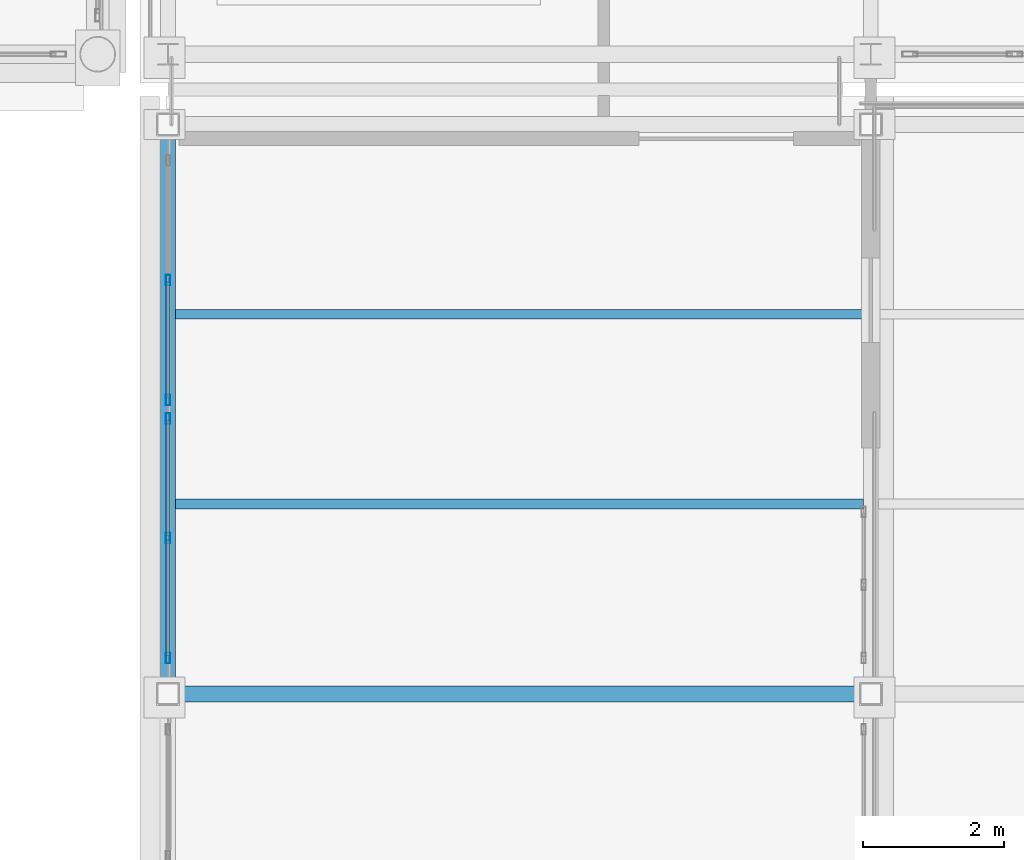
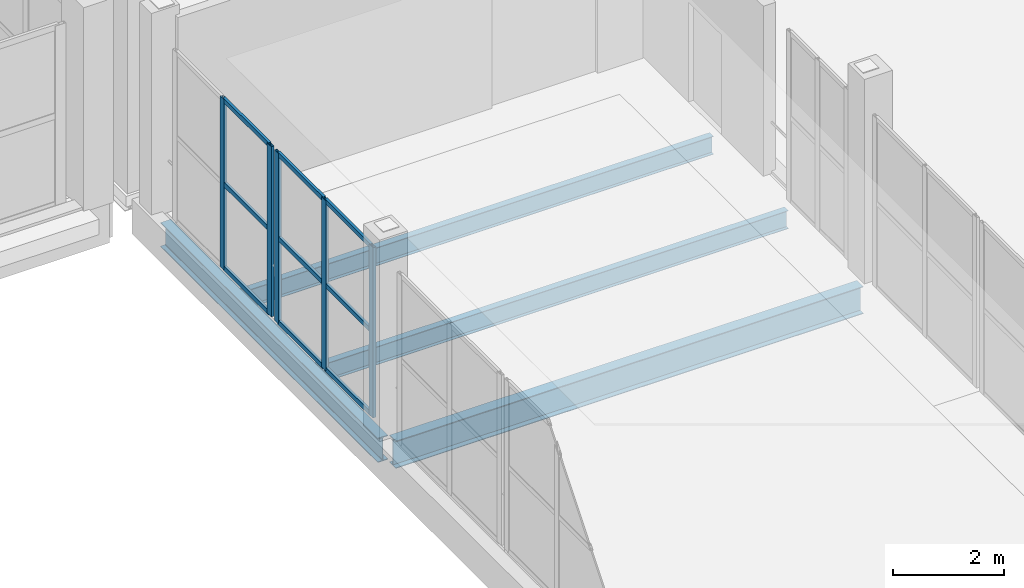
# One storey, part 66 of 156: 14 members, 4 beams, 2 elements without a shape of their own.
"""IFC4 building model written with IfcOpenShell, lengths in metres."""

from ifc_helpers import new_model, si_unit, direction, frame, origin, origin_2d, place, context, subcontext, project, spatial, hollow_rectangle, i_section, extrude, material, material_profile, profile_set, type_object, element, aggregate, save


model = new_model("IFC4")

# Units and contexts
model_context = context("Model", 3, precision=1e-05, world=origin(), true_north=direction((0.0, 1.0)))
body_context = subcontext(model_context, "Body", "Model", "MODEL_VIEW")
ifc_project = project(units=[si_unit("LENGTHUNIT", "METRE"), si_unit("AREAUNIT", "SQUARE_METRE"), si_unit("VOLUMEUNIT", "CUBIC_METRE"), si_unit("PLANEANGLEUNIT", "RADIAN"), si_unit("MASSUNIT", "GRAM", prefix="KILO")], contexts=[model_context])

# Site, building, storey
site_placement = place(None, origin())
site = spatial("IfcSite", under=ifc_project, at=site_placement, CompositionType="ELEMENT")
building_placement = place(site_placement, origin())
building = spatial("IfcBuilding", under=site, at=building_placement, Name="Caurita Quay Ferry Terminal", CompositionType="ELEMENT")
storey_placement = place(building_placement, frame((0.0, 0.0, 5.39990234375)))
storey = spatial("IfcBuildingStorey", under=building, at=storey_placement, Name="L01", CompositionType="ELEMENT", Elevation=5.39990234375)

# Beams
ifc_material_1 = material(Name="Structural steel ASTM A992 Gr. 50", Category="steel")
ifc_material_profile_1 = material_profile(ifc_material_1, i_section(OverallWidth=0.210693359375, OverallDepth=0.53857421875, WebThickness=0.01171875, FlangeThickness=0.018798828125, FilletRadius=0.013916015625, at=origin_2d()), Name="W21X73")
ifc_profile_set_1 = profile_set([ifc_material_profile_1], Name="Structural steel ASTM A992 Gr. 50")
beam_type_1 = type_object("IfcBeamType", Name="BM-GR-W21A", PredefinedType="BEAM", material=ifc_profile_set_1)
beam_1_placement = place(storey_placement, frame((132.800048828125, 25.62939453125, -0.504150390625), z_axis=(0.0, 1.0, 0.0), x_axis=(-1.0, 0.0, 0.0)))
element("IfcBeam", 1, at=beam_1_placement, inside=storey, type_object=beam_type_1, Name="L01 Beam BM-V3P-L01-Y-1328-256", PredefinedType="BEAM", context=body_context, shape_type="SweptSolid", body=[
    extrude(i_section(OverallWidth=0.210693359375, OverallDepth=0.53857421875, WebThickness=0.01171875, FlangeThickness=0.018798828125, FilletRadius=0.013916015625, at=origin_2d()), origin(), (0.0, 0.0, 1.0), 7.841064453125),
])
ifc_material_profile_2 = material_profile(ifc_material_1, i_section(OverallWidth=0.22802734375, OverallDepth=0.60205078125, WebThickness=0.010498046875, FlangeThickness=0.014892578125, at=origin_2d()), Name="W24X68")
ifc_profile_set_2 = profile_set([ifc_material_profile_2], Name="Structural steel ASTM A992 Gr. 50")
beam_type_2 = type_object("IfcBeamType", Name="BM-GR-W24C", PredefinedType="BEAM", material=ifc_profile_set_2)
beam_2_placement = place(storey_placement, frame((132.929443359375, 25.5, -0.535888671875), z_axis=(1.0, 0.0, 0.0), x_axis=(0.0, 1.0, 0.0)))
element("IfcBeam", 2, at=beam_2_placement, inside=storey, type_object=beam_type_2, Name="L01 Beam BM-V3P-L01-X-1329-255", PredefinedType="BEAM", context=body_context, shape_type="SweptSolid", body=[
    extrude(i_section(OverallWidth=0.22802734375, OverallDepth=0.60205078125, WebThickness=0.010498046875, FlangeThickness=0.014892578125, at=origin_2d()), origin(), (0.0, 0.0, 1.0), 9.740966796875),
])
ifc_material_profile_3 = material_profile(ifc_material_1, i_section(OverallWidth=0.139892578125, OverallDepth=0.39892578125, WebThickness=0.00634765625, FlangeThickness=0.0087890625, at=origin_2d()), Name="W16X26")
ifc_profile_set_3 = profile_set([ifc_material_profile_3], Name="Structural steel ASTM A992 Gr. 50")
beam_type_3 = type_object("IfcBeamType", Name="BM-JS-W16C", PredefinedType="JOIST", material=ifc_profile_set_3)
for number, where, z_axis, x_axis, name in (
    (3, (132.905517578125, 28.199951171875, -0.434326171875), (1.0, 0.0, 0.0), (0.0, 1.0, 0.0), "L01 Beam JS-V3P-L01-007"),
    (4, (132.905517578125, 30.89990234375, -0.434326171875), (1.0, 0.0, 0.0), (0.0, 1.0, 0.0), "L01 Beam JS-V3P-L01-008"),
):
    element("IfcBeam", number, at=place(storey_placement, frame(where, z_axis=z_axis, x_axis=x_axis)), inside=storey, type_object=beam_type_3, Name=name, PredefinedType="JOIST", context=body_context, shape_type="SweptSolid", body=[
        extrude(i_section(OverallWidth=0.139892578125, OverallDepth=0.39892578125, WebThickness=0.00634765625, FlangeThickness=0.0087890625, at=origin_2d()), origin(), (0.0, 0.0, 1.0), 9.7890625),
    ])

# Curtain wall, members
ifc_material_2 = material(Name="Laminated solar-control insulated glass", Category="glass")
curtain_wall_type = type_object("IfcCurtainWallType", Name="CW-SYS-16", PredefinedType="NOTDEFINED", material=ifc_material_2)
curtain_wall_1_placement = place(storey_placement, origin())
curtain_wall_1 = element("IfcCurtainWall", 5, at=curtain_wall_1_placement, inside=storey, type_object=curtain_wall_type, Name="Boarding Gangway Ribbon Curtain Wall 117", PredefinedType="NOTDEFINED")
ifc_material_3 = material(Name="Anodized aluminium 6063-T6", Category="aluminium")
ifc_material_profile_4 = material_profile(ifc_material_3, hollow_rectangle(XDim=0.06005859375, YDim=0.14990234375, WallThickness=0.00341796875, at=origin_2d()), Name="ALU-MUL-60X150")
ifc_profile_set_4 = profile_set([ifc_material_profile_4], Name="Anodized aluminium 6063-T6")
member_type_1 = type_object("IfcMemberType", Name="CW-MUL-150", PredefinedType="MULLION", material=ifc_profile_set_4)
member_1_placement = place(storey_placement, frame((132.800048828125, 26.010009765625, 0.0), z_axis=(0.0, 0.0, 1.0), x_axis=(-1.0, 0.0, 0.0)))
member_1 = element("IfcMember", 6, at=member_1_placement, type_object=member_type_1, Name="CW-BGW-117 Mullion 1", PredefinedType="MULLION", context=body_context, shape_type="SweptSolid", body=[
    extrude(hollow_rectangle(XDim=0.06005859375, YDim=0.14990234375, WallThickness=0.00341796875, at=origin_2d()), origin(), (0.0, 0.0, 1.0), 3.75),
])
member_2_placement = place(storey_placement, frame((132.800048828125, 27.715087890625, 0.0), z_axis=(0.0, 0.0, 1.0), x_axis=(-1.0, 0.0, 0.0)))
member_2 = element("IfcMember", 7, at=member_2_placement, type_object=member_type_1, Name="CW-BGW-117 Mullion 2", PredefinedType="MULLION", context=body_context, shape_type="SweptSolid", body=[
    extrude(hollow_rectangle(XDim=0.06005859375, YDim=0.14990234375, WallThickness=0.00341796875, at=origin_2d()), origin(), (0.0, 0.0, 1.0), 3.75),
])
member_3_placement = place(storey_placement, frame((132.800048828125, 29.419921875, 0.0), z_axis=(0.0, 0.0, 1.0), x_axis=(-1.0, 0.0, 0.0)))
member_3 = element("IfcMember", 8, at=member_3_placement, type_object=member_type_1, Name="CW-BGW-117 Mullion 3", PredefinedType="MULLION", context=body_context, shape_type="SweptSolid", body=[
    extrude(hollow_rectangle(XDim=0.06005859375, YDim=0.14990234375, WallThickness=0.00341796875, at=origin_2d()), origin(), (0.0, 0.0, 1.0), 3.75),
])

curtain_wall_2_placement = place(storey_placement, origin())
curtain_wall_2 = element("IfcCurtainWall", 9, at=curtain_wall_2_placement, inside=storey, type_object=curtain_wall_type, Name="Boarding Gangway Ribbon Curtain Wall 118", PredefinedType="NOTDEFINED")
member_4_placement = place(storey_placement, frame((132.800048828125, 29.679931640625, 0.0), z_axis=(0.0, 0.0, 1.0), x_axis=(-1.0, 0.0, 0.0)))
member_4 = element("IfcMember", 10, at=member_4_placement, type_object=member_type_1, Name="CW-BGW-118 Mullion 1", PredefinedType="MULLION", context=body_context, shape_type="SweptSolid", body=[
    extrude(hollow_rectangle(XDim=0.06005859375, YDim=0.14990234375, WallThickness=0.00341796875, at=origin_2d()), origin(), (0.0, 0.0, 1.0), 3.75),
])
member_5_placement = place(storey_placement, frame((132.800048828125, 31.385009765625, 0.0), z_axis=(0.0, 0.0, 1.0), x_axis=(-1.0, 0.0, 0.0)))
member_5 = element("IfcMember", 11, at=member_5_placement, type_object=member_type_1, Name="CW-BGW-118 Mullion 2", PredefinedType="MULLION", context=body_context, shape_type="SweptSolid", body=[
    extrude(hollow_rectangle(XDim=0.06005859375, YDim=0.14990234375, WallThickness=0.00341796875, at=origin_2d()), origin(), (0.0, 0.0, 1.0), 3.75),
])

# Member
ifc_material_profile_5 = material_profile(ifc_material_3, hollow_rectangle(XDim=0.054931640625, YDim=0.10009765625, WallThickness=0.00341796875, at=origin_2d()), Name="ALU-TRN-55X100")
ifc_profile_set_5 = profile_set([ifc_material_profile_5], Name="Anodized aluminium 6063-T6")
member_type_2 = type_object("IfcMemberType", Name="CW-TRN-100", PredefinedType="USERDEFINED", material=ifc_profile_set_5)
member_6_placement = place(storey_placement, frame((132.800048828125, 26.0380859375, 0.027587890625), z_axis=(0.0, 1.0, 0.0), x_axis=(-1.0, 0.0, 0.0)))
member_6 = element("IfcMember", 12, at=member_6_placement, type_object=member_type_2, Name="CW-BGW-117 Transom 1", ObjectType="TRANSOM", PredefinedType="USERDEFINED", context=body_context, shape_type="SweptSolid", body=[
    extrude(hollow_rectangle(XDim=0.054931640625, YDim=0.10009765625, WallThickness=0.00341796875, at=origin_2d()), origin(), (0.0, 0.0, 1.0), 1.64892578125),
])

member_7_placement = place(storey_placement, frame((132.800048828125, 26.0380859375, 1.875), z_axis=(0.0, 1.0, 0.0), x_axis=(-1.0, 0.0, 0.0)))
member_7 = element("IfcMember", 13, at=member_7_placement, type_object=member_type_2, Name="CW-BGW-117 Transom 2", ObjectType="TRANSOM", PredefinedType="USERDEFINED", context=body_context, shape_type="SweptSolid", body=[
    extrude(hollow_rectangle(XDim=0.054931640625, YDim=0.10009765625, WallThickness=0.00341796875, at=origin_2d()), origin(), (0.0, 0.0, 1.0), 1.64892578125),
])

member_8_placement = place(storey_placement, frame((132.800048828125, 26.0380859375, 3.72265625), z_axis=(0.0, 1.0, 0.0), x_axis=(-1.0, 0.0, 0.0)))
member_8 = element("IfcMember", 14, at=member_8_placement, type_object=member_type_2, Name="CW-BGW-117 Transom 3", ObjectType="TRANSOM", PredefinedType="USERDEFINED", context=body_context, shape_type="SweptSolid", body=[
    extrude(hollow_rectangle(XDim=0.054931640625, YDim=0.10009765625, WallThickness=0.00341796875, at=origin_2d()), origin(), (0.0, 0.0, 1.0), 1.64892578125),
])

member_9_placement = place(storey_placement, frame((132.800048828125, 27.742919921875, 0.027587890625), z_axis=(0.0, 1.0, 0.0), x_axis=(-1.0, 0.0, 0.0)))
member_9 = element("IfcMember", 15, at=member_9_placement, type_object=member_type_2, Name="CW-BGW-117 Transom 4", ObjectType="TRANSOM", PredefinedType="USERDEFINED", context=body_context, shape_type="SweptSolid", body=[
    extrude(hollow_rectangle(XDim=0.054931640625, YDim=0.10009765625, WallThickness=0.00341796875, at=origin_2d()), origin(), (0.0, 0.0, 1.0), 1.649169921875),
])

member_10_placement = place(storey_placement, frame((132.800048828125, 27.742919921875, 1.875), z_axis=(0.0, 1.0, 0.0), x_axis=(-1.0, 0.0, 0.0)))
member_10 = element("IfcMember", 16, at=member_10_placement, type_object=member_type_2, Name="CW-BGW-117 Transom 5", ObjectType="TRANSOM", PredefinedType="USERDEFINED", context=body_context, shape_type="SweptSolid", body=[
    extrude(hollow_rectangle(XDim=0.054931640625, YDim=0.10009765625, WallThickness=0.00341796875, at=origin_2d()), origin(), (0.0, 0.0, 1.0), 1.649169921875),
])

member_11_placement = place(storey_placement, frame((132.800048828125, 27.742919921875, 3.72265625), z_axis=(0.0, 1.0, 0.0), x_axis=(-1.0, 0.0, 0.0)))
member_11 = element("IfcMember", 17, at=member_11_placement, type_object=member_type_2, Name="CW-BGW-117 Transom 6", ObjectType="TRANSOM", PredefinedType="USERDEFINED", context=body_context, shape_type="SweptSolid", body=[
    extrude(hollow_rectangle(XDim=0.054931640625, YDim=0.10009765625, WallThickness=0.00341796875, at=origin_2d()), origin(), (0.0, 0.0, 1.0), 1.649169921875),
])

aggregate(curtain_wall_1, [member_1, member_2, member_3, member_6, member_7, member_8, member_9, member_10, member_11])

member_12_placement = place(storey_placement, frame((132.800048828125, 29.7080078125, 0.027587890625), z_axis=(0.0, 1.0, 0.0), x_axis=(-1.0, 0.0, 0.0)))
member_12 = element("IfcMember", 18, at=member_12_placement, type_object=member_type_2, Name="CW-BGW-118 Transom 1", ObjectType="TRANSOM", PredefinedType="USERDEFINED", context=body_context, shape_type="SweptSolid", body=[
    extrude(hollow_rectangle(XDim=0.054931640625, YDim=0.10009765625, WallThickness=0.00341796875, at=origin_2d()), origin(), (0.0, 0.0, 1.0), 1.64892578125),
])

member_13_placement = place(storey_placement, frame((132.800048828125, 29.7080078125, 1.875), z_axis=(0.0, 1.0, 0.0), x_axis=(-1.0, 0.0, 0.0)))
member_13 = element("IfcMember", 19, at=member_13_placement, type_object=member_type_2, Name="CW-BGW-118 Transom 2", ObjectType="TRANSOM", PredefinedType="USERDEFINED", context=body_context, shape_type="SweptSolid", body=[
    extrude(hollow_rectangle(XDim=0.054931640625, YDim=0.10009765625, WallThickness=0.00341796875, at=origin_2d()), origin(), (0.0, 0.0, 1.0), 1.64892578125),
])

member_14_placement = place(storey_placement, frame((132.800048828125, 29.7080078125, 3.72265625), z_axis=(0.0, 1.0, 0.0), x_axis=(-1.0, 0.0, 0.0)))
member_14 = element("IfcMember", 20, at=member_14_placement, type_object=member_type_2, Name="CW-BGW-118 Transom 3", ObjectType="TRANSOM", PredefinedType="USERDEFINED", context=body_context, shape_type="SweptSolid", body=[
    extrude(hollow_rectangle(XDim=0.054931640625, YDim=0.10009765625, WallThickness=0.00341796875, at=origin_2d()), origin(), (0.0, 0.0, 1.0), 1.64892578125),
])

aggregate(curtain_wall_2, [member_4, member_5, member_12, member_13, member_14])

save(model, "model.ifc")
